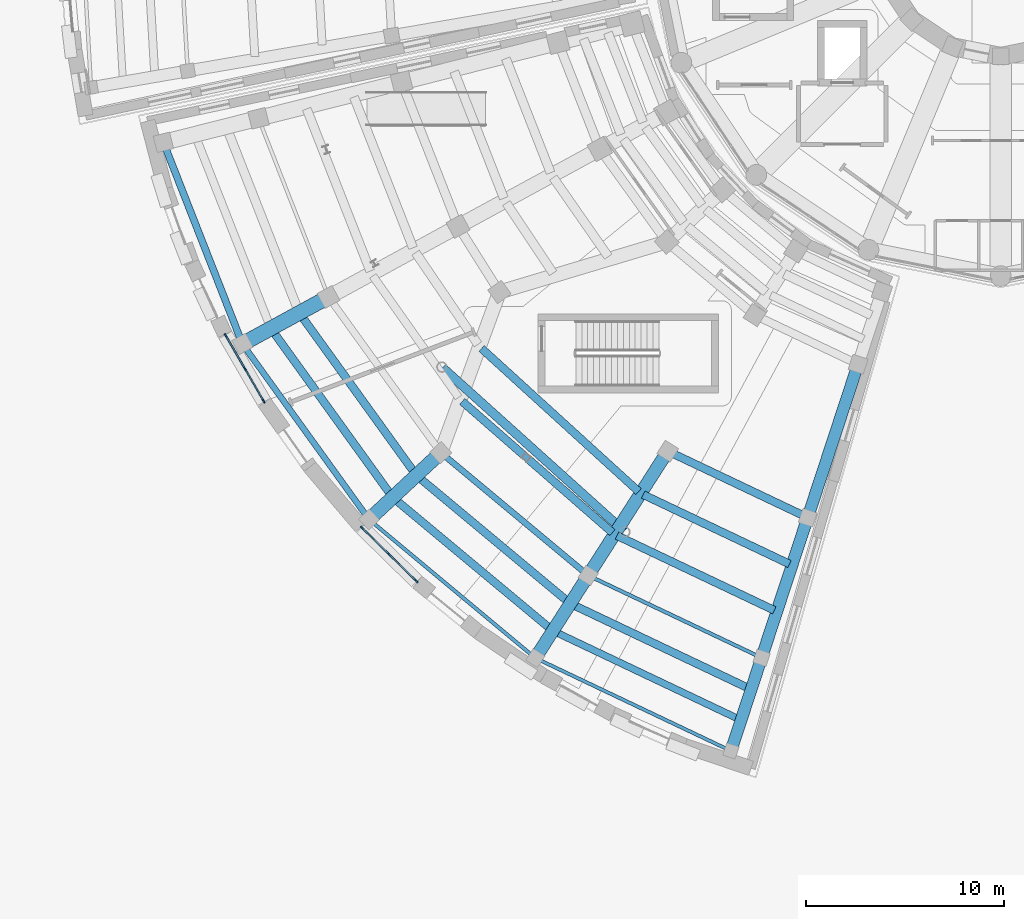
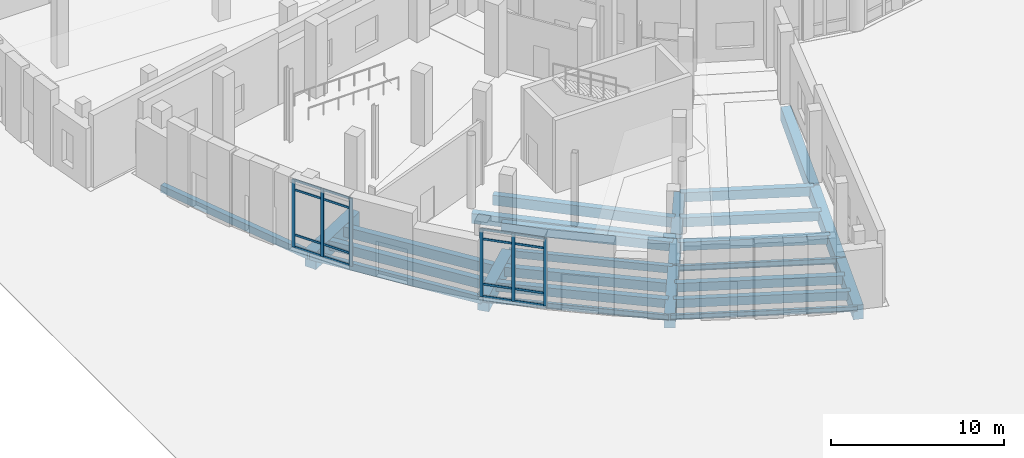
# One storey, part 10 of 74: 25 beams, 22 members, 2 elements without a shape of their own.
"""IFC4 building model written with IfcOpenShell, lengths in metres."""

from ifc_helpers import new_model, si_unit, direction, frame, origin, origin_2d, place, context, subcontext, project, spatial, rectangle, i_section, extrude, material, material_profile, profile_set, type_object, element, aggregate, save


model = new_model("IFC4")

# Units and contexts
model_context = context("Model", 3, precision=1e-05, world=origin(), true_north=direction((0.0, 1.0)))
body_context = subcontext(model_context, "Body", "Model", "MODEL_VIEW")
ifc_project = project(units=[si_unit("LENGTHUNIT", "METRE"), si_unit("AREAUNIT", "SQUARE_METRE"), si_unit("VOLUMEUNIT", "CUBIC_METRE"), si_unit("PLANEANGLEUNIT", "RADIAN"), si_unit("MASSUNIT", "GRAM", prefix="KILO")], contexts=[model_context])

# Site, building, storey
site_placement = place(None, origin())
site = spatial("IfcSite", under=ifc_project, at=site_placement, CompositionType="ELEMENT")
building_placement = place(site_placement, origin())
building = spatial("IfcBuilding", under=site, at=building_placement, Name="Soyqirgoq Riverine Aquarium", CompositionType="ELEMENT")
storey_placement = place(building_placement, origin())
storey = spatial("IfcBuildingStorey", under=building, at=storey_placement, Name="L01", CompositionType="ELEMENT", Elevation=0.0)

# Beams
ifc_material_1 = material(Name="Concrete C40/50", Category="concrete")
ifc_material_profile_1 = material_profile(ifc_material_1, rectangle(XDim=0.35009765625, YDim=0.60009765625, at=origin_2d()), Name="RC 350x600")
ifc_profile_set_1 = profile_set([ifc_material_profile_1], Name="Concrete C40/50")
beam_type_1 = type_object("IfcBeamType", Name="Beam_RC_350x600", PredefinedType="JOIST", material=ifc_profile_set_1)
beam_1_placement = place(storey_placement, frame((33.51611328125, 21.585205078125, -0.64990234375), z_axis=(0.903335942082, -0.428933766148, 0.0), x_axis=(0.428933766148, 0.903335942082, 0.0)))
element("IfcBeam", 1, at=beam_1_placement, inside=storey, type_object=beam_type_1, Name="V2 L01 Secondary Floor Joist 0231", PredefinedType="JOIST", context=body_context, shape_type="SweptSolid", body=[
    extrude(rectangle(XDim=0.35009765625, YDim=0.60009765625, at=origin_2d()), origin(), (0.0, 0.0, 1.0), 10.239501953125),
])
ifc_material_2 = material(Name="Concrete C40/50", Category="concrete")
ifc_material_profile_2 = material_profile(ifc_material_2, rectangle(XDim=0.39990234375, YDim=0.60009765625, at=origin_2d()), Name="RC 400x600")
ifc_profile_set_2 = profile_set([ifc_material_profile_2], Name="Concrete C40/50")
beam_type_2 = type_object("IfcBeamType", Name="Beam_RC_400x600", PredefinedType="JOIST", material=ifc_profile_set_2)
beam_2_placement = place(storey_placement, frame((36.627685546875, 26.4501953125, -0.64990234375), z_axis=(0.903339377868, -0.428926530297, 0.0), x_axis=(0.428926530297, 0.903339377868, 0.0)))
element("IfcBeam", 2, at=beam_2_placement, inside=storey, type_object=beam_type_2, Name="V2 L01 Secondary Floor Joist 0219", PredefinedType="JOIST", context=body_context, shape_type="SweptSolid", body=[
    extrude(rectangle(XDim=0.39990234375, YDim=0.60009765625, at=origin_2d()), origin(), (0.0, 0.0, 1.0), 8.791748046875),
])
beam_3_placement = place(storey_placement, frame((25.415283203125, 28.289306640625, -0.64990234375), z_axis=(0.768275998918, -0.640118730773, 0.0), x_axis=(0.640118730773, 0.768275998918, 0.0)))
element("IfcBeam", 3, at=beam_3_placement, inside=storey, type_object=beam_type_2, Name="V2 L01 Secondary Floor Joist 0229", PredefinedType="JOIST", context=body_context, shape_type="SweptSolid", body=[
    extrude(rectangle(XDim=0.39990234375, YDim=0.60009765625, at=origin_2d()), origin(), (0.0, 0.0, 1.0), 10.239501953125),
])
beam_4_placement = place(storey_placement, frame((34.396240234375, 22.961181640625, -0.64990234375), z_axis=(0.903341984661, -0.428921040226, 0.0), x_axis=(0.428921040226, 0.903341984661, 0.0)))
element("IfcBeam", 4, at=beam_4_placement, inside=storey, type_object=beam_type_2, Name="V2 L01 Secondary Floor Joist 0230", PredefinedType="JOIST", context=body_context, shape_type="SweptSolid", body=[
    extrude(rectangle(XDim=0.39990234375, YDim=0.60009765625, at=origin_2d()), origin(), (0.0, 0.0, 1.0), 9.830078125),
])
ifc_material_3 = material(Name="Concrete C40/50", Category="concrete")
ifc_material_profile_3 = material_profile(ifc_material_3, rectangle(XDim=0.39990234375, YDim=0.64990234375, at=origin_2d()), Name="RC 400x650")
ifc_profile_set_3 = profile_set([ifc_material_profile_3], Name="Concrete C40/50")
beam_type_3 = type_object("IfcBeamType", Name="Beam_RC_400x650", PredefinedType="BEAM", material=ifc_profile_set_3)
beam_5_placement = place(storey_placement, frame((39.235595703125, 30.694091796875, -0.675048828125), z_axis=(0.903330500913, -0.428945225081, 0.0), x_axis=(0.428945225081, 0.903330500913, 0.0)))
element("IfcBeam", 5, at=beam_5_placement, inside=storey, type_object=beam_type_3, Name="V2 L01 Wedge Chord Beam 0211", PredefinedType="BEAM", context=body_context, shape_type="SweptSolid", body=[
    extrude(rectangle(XDim=0.39990234375, YDim=0.64990234375, at=origin_2d()), origin(), (0.0, 0.0, 1.0), 7.720703125),
])
beam_6_placement = place(storey_placement, frame((28.81591796875, 33.224609375, -0.675048828125), z_axis=(0.753082847612, -0.657925698413, 0.0), x_axis=(0.657925698413, 0.753082847612, 0.0)))
element("IfcBeam", 6, at=beam_6_placement, inside=storey, type_object=beam_type_3, Name="V2 L01 Secondary Floor Joist 0217", PredefinedType="BEAM", context=body_context, shape_type="SweptSolid", body=[
    extrude(rectangle(XDim=0.39990234375, YDim=0.64990234375, at=origin_2d()), origin(), (0.0, 0.0, 1.0), 10.065185546875),
])
beam_7_placement = place(storey_placement, frame((37.9521484375, 28.521484375, -0.675048828125), z_axis=(0.903337964388, -0.428929507139, 0.0), x_axis=(0.428929507139, 0.903337964388, 0.0)))
element("IfcBeam", 7, at=beam_7_placement, inside=storey, type_object=beam_type_3, Name="V2 L01 Secondary Floor Joist 0218", PredefinedType="BEAM", context=body_context, shape_type="SweptSolid", body=[
    extrude(rectangle(XDim=0.39990234375, YDim=0.64990234375, at=origin_2d()), origin(), (0.0, 0.0, 1.0), 8.17578125),
])
beam_8_placement = place(storey_placement, frame((19.236083984375, 36.79736328125, -0.675048828125), z_axis=(0.584960276052, -0.811061943036, 0.0), x_axis=(0.811061943036, 0.584960276052, 0.0)))
element("IfcBeam", 8, at=beam_8_placement, inside=storey, type_object=beam_type_3, Name="V2 L01 Secondary Floor Joist 0227", PredefinedType="BEAM", context=body_context, shape_type="SweptSolid", body=[
    extrude(rectangle(XDim=0.39990234375, YDim=0.64990234375, at=origin_2d()), origin(), (0.0, 0.0, 1.0), 10.239501953125),
])
beam_9_placement = place(storey_placement, frame((26.60986328125, 29.4033203125, -0.675048828125), z_axis=(0.76828642004, -0.640106223046, 0.0), x_axis=(0.640106223046, 0.76828642004, 0.0)))
element("IfcBeam", 9, at=beam_9_placement, inside=storey, type_object=beam_type_3, Name="V2 L01 Secondary Floor Joist 0228", PredefinedType="BEAM", context=body_context, shape_type="SweptSolid", body=[
    extrude(rectangle(XDim=0.39990234375, YDim=0.64990234375, at=origin_2d()), origin(), (0.0, 0.0, 1.0), 9.830078125),
])
ifc_material_4 = material(Name="Concrete C40/50", Category="concrete")
ifc_material_profile_4 = material_profile(ifc_material_4, rectangle(XDim=0.39990234375, YDim=0.699951171875, at=origin_2d()), Name="RC 400x700")
ifc_profile_set_4 = profile_set([ifc_material_profile_4], Name="Concrete C40/50")
beam_type_4 = type_object("IfcBeamType", Name="Beam_RC_400x700", PredefinedType="BEAM", material=ifc_profile_set_4)
beam_10_placement = place(storey_placement, frame((29.79150390625, 35.898193359375, -0.699951171875), z_axis=(0.739349665406, -0.673321670722, 0.0), x_axis=(0.673321670722, 0.739349665406, 0.0)))
element("IfcBeam", 10, at=beam_10_placement, inside=storey, type_object=beam_type_4, Name="V2 L01 Secondary Floor Joist 0216", PredefinedType="BEAM", context=body_context, shape_type="SweptSolid", body=[
    extrude(rectangle(XDim=0.39990234375, YDim=0.699951171875, at=origin_2d()), origin(), (0.0, 0.0, 1.0), 10.7265625),
])
beam_11_placement = place(storey_placement, frame((20.670166015625, 37.579345703125, -0.699951171875), z_axis=(0.584958145066, -0.811063479957, 0.0), x_axis=(0.811063479957, 0.584958145066, 0.0)))
element("IfcBeam", 11, at=beam_11_placement, inside=storey, type_object=beam_type_4, Name="V2 L01 Secondary Floor Joist 0226", PredefinedType="BEAM", context=body_context, shape_type="SweptSolid", body=[
    extrude(rectangle(XDim=0.39990234375, YDim=0.699951171875, at=origin_2d()), origin(), (0.0, 0.0, 1.0), 9.830078125),
])
ifc_material_5 = material(Name="Concrete C40/50", Category="concrete")
ifc_material_profile_5 = material_profile(ifc_material_5, rectangle(XDim=0.449951171875, YDim=0.699951171875, at=origin_2d()), Name="RC 450x700")
ifc_profile_set_5 = profile_set([ifc_material_profile_5], Name="Concrete C40/50")
beam_type_5 = type_object("IfcBeamType", Name="Beam_RC_450x700", PredefinedType="BEAM", material=ifc_profile_set_5)
beam_12_placement = place(storey_placement, frame((27.826416015625, 34.92578125, -0.699951171875), z_axis=(0.743145497074, -0.669129860475, 0.0), x_axis=(0.669129860475, 0.743145497074, 0.0)))
element("IfcBeam", 12, at=beam_12_placement, inside=storey, type_object=beam_type_5, Name="V2 L01 Portal Frame Beam 0302", PredefinedType="BEAM", context=body_context, shape_type="SweptSolid", body=[
    extrude(rectangle(XDim=0.449951171875, YDim=0.699951171875, at=origin_2d()), origin(), (0.0, 0.0, 1.0), 12.3330078125),
])

# Curtain wall, members
ifc_material_6 = material(Name="Structural silicone glazed entrance curtain wall", Category="aluminium")
curtain_wall_type = type_object("IfcCurtainWallType", Name="CW_Portal_Entrance", PredefinedType="NOTDEFINED", material=ifc_material_6)
curtain_wall_1_placement = place(storey_placement, origin())
curtain_wall_1 = element("IfcCurtainWall", 13, at=curtain_wall_1_placement, inside=storey, type_object=curtain_wall_type, Name="V2 L01 Curtain Wall 079", PredefinedType="NOTDEFINED")
ifc_material_7 = material(Name="Anodised aluminium 6063-T6", Category="aluminium")
ifc_material_profile_6 = material_profile(ifc_material_7, rectangle(XDim=0.080078125, YDim=0.219970703125, at=origin_2d()), Name="ALU-M 80x220")
ifc_profile_set_6 = profile_set([ifc_material_profile_6], Name="Anodised aluminium 6063-T6")
member_type_1 = type_object("IfcMemberType", Name="CWMullion_80x220", PredefinedType="MULLION", material=ifc_profile_set_6)
member_1_placement = place(storey_placement, frame((26.49658203125, 24.16064453125, 0.0), z_axis=(0.0, 0.0, 1.0), x_axis=(-0.699877568292, -0.714262829357, 0.0)))
member_1 = element("IfcMember", 14, at=member_1_placement, type_object=member_type_1, Name="CW-04 mullion 1", PredefinedType="MULLION", context=body_context, shape_type="SweptSolid", body=[
    extrude(rectangle(XDim=0.080078125, YDim=0.219970703125, at=origin_2d()), origin(), (0.0, 0.0, 1.0), 4.77001953125),
])
member_2_placement = place(storey_placement, frame((25.13232421875, 25.497314453125, 0.0), z_axis=(0.0, 0.0, 1.0), x_axis=(-0.699877568292, -0.714262829357, 0.0)))
member_2 = element("IfcMember", 15, at=member_2_placement, type_object=member_type_1, Name="CW-04 mullion 2", PredefinedType="MULLION", context=body_context, shape_type="SweptSolid", body=[
    extrude(rectangle(XDim=0.080078125, YDim=0.219970703125, at=origin_2d()), origin(), (0.0, 0.0, 1.0), 4.77001953125),
])
member_3_placement = place(storey_placement, frame((23.76806640625, 26.833984375, 0.0), z_axis=(0.0, 0.0, 1.0), x_axis=(-0.699877568292, -0.714262829357, 0.0)))
member_3 = element("IfcMember", 16, at=member_3_placement, type_object=member_type_1, Name="CW-04 mullion 3", PredefinedType="MULLION", context=body_context, shape_type="SweptSolid", body=[
    extrude(rectangle(XDim=0.080078125, YDim=0.219970703125, at=origin_2d()), origin(), (0.0, 0.0, 1.0), 4.77001953125),
])

curtain_wall_2_placement = place(storey_placement, origin())
curtain_wall_2 = element("IfcCurtainWall", 17, at=curtain_wall_2_placement, inside=storey, type_object=curtain_wall_type, Name="V2 L01 Curtain Wall 080", PredefinedType="NOTDEFINED")
member_4_placement = place(storey_placement, frame((18.793701171875, 33.239501953125, 0.0), z_axis=(0.0, 0.0, 1.0), x_axis=(-0.865294590752, -0.501263674342, 0.0)))
member_4 = element("IfcMember", 18, at=member_4_placement, type_object=member_type_1, Name="CW-04 mullion 1", PredefinedType="MULLION", context=body_context, shape_type="SweptSolid", body=[
    extrude(rectangle(XDim=0.080078125, YDim=0.219970703125, at=origin_2d()), origin(), (0.0, 0.0, 1.0), 4.77001953125),
])
member_5_placement = place(storey_placement, frame((17.836181640625, 34.89208984375, 0.0), z_axis=(0.0, 0.0, 1.0), x_axis=(-0.865294590752, -0.501263674342, 0.0)))
member_5 = element("IfcMember", 19, at=member_5_placement, type_object=member_type_1, Name="CW-04 mullion 2", PredefinedType="MULLION", context=body_context, shape_type="SweptSolid", body=[
    extrude(rectangle(XDim=0.080078125, YDim=0.219970703125, at=origin_2d()), origin(), (0.0, 0.0, 1.0), 4.77001953125),
])
member_6_placement = place(storey_placement, frame((16.87890625, 36.544677734375, 0.0), z_axis=(0.0, 0.0, 1.0), x_axis=(-0.865294590752, -0.501263674342, 0.0)))
member_6 = element("IfcMember", 20, at=member_6_placement, type_object=member_type_1, Name="CW-04 mullion 3", PredefinedType="MULLION", context=body_context, shape_type="SweptSolid", body=[
    extrude(rectangle(XDim=0.080078125, YDim=0.219970703125, at=origin_2d()), origin(), (0.0, 0.0, 1.0), 4.77001953125),
])

# Member
ifc_material_8 = material(Name="Anodised aluminium 6063-T6", Category="aluminium")
ifc_material_profile_7 = material_profile(ifc_material_8, rectangle(XDim=0.074951171875, YDim=0.14990234375, at=origin_2d()), Name="ALU-T 75x150")
ifc_profile_set_7 = profile_set([ifc_material_profile_7], Name="Anodised aluminium 6063-T6")
member_type_2 = type_object("IfcMemberType", Name="CWTransom_75x150", PredefinedType="USERDEFINED", material=ifc_profile_set_7)
member_7_placement = place(storey_placement, frame((26.468017578125, 24.1884765625, 0.03759765625), z_axis=(-0.714274192224, 0.699865971686, 0.0), x_axis=(-0.699865971686, -0.714274192224, 0.0)))
member_7 = element("IfcMember", 21, at=member_7_placement, type_object=member_type_2, Name="CW-04 transom 1.1", ObjectType="TRANSOM", PredefinedType="USERDEFINED", context=body_context, shape_type="SweptSolid", body=[
    extrude(rectangle(XDim=0.074951171875, YDim=0.14990234375, at=origin_2d()), origin(), (0.0, 0.0, 1.0), 1.830078125),
])

member_8_placement = place(storey_placement, frame((26.468017578125, 24.1884765625, 0.89990234375), z_axis=(-0.714274192224, 0.699865971686, 0.0), x_axis=(-0.699865971686, -0.714274192224, 0.0)))
member_8 = element("IfcMember", 22, at=member_8_placement, type_object=member_type_2, Name="CW-04 transom 1.2", ObjectType="TRANSOM", PredefinedType="USERDEFINED", context=body_context, shape_type="SweptSolid", body=[
    extrude(rectangle(XDim=0.074951171875, YDim=0.14990234375, at=origin_2d()), origin(), (0.0, 0.0, 1.0), 1.830078125),
])

member_9_placement = place(storey_placement, frame((26.468017578125, 24.1884765625, 4.070068359375), z_axis=(-0.714274192224, 0.699865971686, 0.0), x_axis=(-0.699865971686, -0.714274192224, 0.0)))
member_9 = element("IfcMember", 23, at=member_9_placement, type_object=member_type_2, Name="CW-04 transom 1.3", ObjectType="TRANSOM", PredefinedType="USERDEFINED", context=body_context, shape_type="SweptSolid", body=[
    extrude(rectangle(XDim=0.074951171875, YDim=0.14990234375, at=origin_2d()), origin(), (0.0, 0.0, 1.0), 1.830078125),
])

member_10_placement = place(storey_placement, frame((26.468017578125, 24.1884765625, 4.732421875), z_axis=(-0.714274192224, 0.699865971686, 0.0), x_axis=(-0.699865971686, -0.714274192224, 0.0)))
member_10 = element("IfcMember", 24, at=member_10_placement, type_object=member_type_2, Name="CW-04 transom 1.4", ObjectType="TRANSOM", PredefinedType="USERDEFINED", context=body_context, shape_type="SweptSolid", body=[
    extrude(rectangle(XDim=0.074951171875, YDim=0.14990234375, at=origin_2d()), origin(), (0.0, 0.0, 1.0), 1.830078125),
])

member_11_placement = place(storey_placement, frame((25.103759765625, 25.525390625, 0.03759765625), z_axis=(-0.714340886084, 0.699797898302, 0.0), x_axis=(-0.699797898302, -0.714340886084, 0.0)))
member_11 = element("IfcMember", 25, at=member_11_placement, type_object=member_type_2, Name="CW-04 transom 2.1", ObjectType="TRANSOM", PredefinedType="USERDEFINED", context=body_context, shape_type="SweptSolid", body=[
    extrude(rectangle(XDim=0.074951171875, YDim=0.14990234375, at=origin_2d()), origin(), (0.0, 0.0, 1.0), 1.829833984375),
])

member_12_placement = place(storey_placement, frame((25.103759765625, 25.525390625, 0.89990234375), z_axis=(-0.714340886084, 0.699797898302, 0.0), x_axis=(-0.699797898302, -0.714340886084, 0.0)))
member_12 = element("IfcMember", 26, at=member_12_placement, type_object=member_type_2, Name="CW-04 transom 2.2", ObjectType="TRANSOM", PredefinedType="USERDEFINED", context=body_context, shape_type="SweptSolid", body=[
    extrude(rectangle(XDim=0.074951171875, YDim=0.14990234375, at=origin_2d()), origin(), (0.0, 0.0, 1.0), 1.829833984375),
])

member_13_placement = place(storey_placement, frame((25.103759765625, 25.525390625, 4.070068359375), z_axis=(-0.714340886084, 0.699797898302, 0.0), x_axis=(-0.699797898302, -0.714340886084, 0.0)))
member_13 = element("IfcMember", 27, at=member_13_placement, type_object=member_type_2, Name="CW-04 transom 2.3", ObjectType="TRANSOM", PredefinedType="USERDEFINED", context=body_context, shape_type="SweptSolid", body=[
    extrude(rectangle(XDim=0.074951171875, YDim=0.14990234375, at=origin_2d()), origin(), (0.0, 0.0, 1.0), 1.829833984375),
])

member_14_placement = place(storey_placement, frame((25.103759765625, 25.525390625, 4.732421875), z_axis=(-0.714340886084, 0.699797898302, 0.0), x_axis=(-0.699797898302, -0.714340886084, 0.0)))
member_14 = element("IfcMember", 28, at=member_14_placement, type_object=member_type_2, Name="CW-04 transom 2.4", ObjectType="TRANSOM", PredefinedType="USERDEFINED", context=body_context, shape_type="SweptSolid", body=[
    extrude(rectangle(XDim=0.074951171875, YDim=0.14990234375, at=origin_2d()), origin(), (0.0, 0.0, 1.0), 1.829833984375),
])

aggregate(curtain_wall_1, [member_1, member_2, member_3, member_7, member_8, member_9, member_10, member_11, member_12, member_13, member_14])

member_15_placement = place(storey_placement, frame((18.773681640625, 33.27392578125, 0.03759765625), z_axis=(-0.501330725828, 0.865255744471, 0.0), x_axis=(-0.865255744471, -0.501330725828, 0.0)))
member_15 = element("IfcMember", 29, at=member_15_placement, type_object=member_type_2, Name="CW-04 transom 1.1", ObjectType="TRANSOM", PredefinedType="USERDEFINED", context=body_context, shape_type="SweptSolid", body=[
    extrude(rectangle(XDim=0.074951171875, YDim=0.14990234375, at=origin_2d()), origin(), (0.0, 0.0, 1.0), 1.830078125),
])

member_16_placement = place(storey_placement, frame((18.773681640625, 33.27392578125, 0.89990234375), z_axis=(-0.501330725828, 0.865255744471, 0.0), x_axis=(-0.865255744471, -0.501330725828, 0.0)))
member_16 = element("IfcMember", 30, at=member_16_placement, type_object=member_type_2, Name="CW-04 transom 1.2", ObjectType="TRANSOM", PredefinedType="USERDEFINED", context=body_context, shape_type="SweptSolid", body=[
    extrude(rectangle(XDim=0.074951171875, YDim=0.14990234375, at=origin_2d()), origin(), (0.0, 0.0, 1.0), 1.830078125),
])

member_17_placement = place(storey_placement, frame((18.773681640625, 33.27392578125, 4.070068359375), z_axis=(-0.501330725828, 0.865255744471, 0.0), x_axis=(-0.865255744471, -0.501330725828, 0.0)))
member_17 = element("IfcMember", 31, at=member_17_placement, type_object=member_type_2, Name="CW-04 transom 1.3", ObjectType="TRANSOM", PredefinedType="USERDEFINED", context=body_context, shape_type="SweptSolid", body=[
    extrude(rectangle(XDim=0.074951171875, YDim=0.14990234375, at=origin_2d()), origin(), (0.0, 0.0, 1.0), 1.830078125),
])

member_18_placement = place(storey_placement, frame((18.773681640625, 33.27392578125, 4.732421875), z_axis=(-0.501330725828, 0.865255744471, 0.0), x_axis=(-0.865255744471, -0.501330725828, 0.0)))
member_18 = element("IfcMember", 32, at=member_18_placement, type_object=member_type_2, Name="CW-04 transom 1.4", ObjectType="TRANSOM", PredefinedType="USERDEFINED", context=body_context, shape_type="SweptSolid", body=[
    extrude(rectangle(XDim=0.074951171875, YDim=0.14990234375, at=origin_2d()), origin(), (0.0, 0.0, 1.0), 1.830078125),
])

member_19_placement = place(storey_placement, frame((17.816162109375, 34.9267578125, 0.03759765625), z_axis=(-0.501230840869, 0.865313610295, 0.0), x_axis=(-0.865313610295, -0.501230840869, 0.0)))
member_19 = element("IfcMember", 33, at=member_19_placement, type_object=member_type_2, Name="CW-04 transom 2.1", ObjectType="TRANSOM", PredefinedType="USERDEFINED", context=body_context, shape_type="SweptSolid", body=[
    extrude(rectangle(XDim=0.074951171875, YDim=0.14990234375, at=origin_2d()), origin(), (0.0, 0.0, 1.0), 1.830078125),
])

member_20_placement = place(storey_placement, frame((17.816162109375, 34.9267578125, 0.89990234375), z_axis=(-0.501230840869, 0.865313610295, 0.0), x_axis=(-0.865313610295, -0.501230840869, 0.0)))
member_20 = element("IfcMember", 34, at=member_20_placement, type_object=member_type_2, Name="CW-04 transom 2.2", ObjectType="TRANSOM", PredefinedType="USERDEFINED", context=body_context, shape_type="SweptSolid", body=[
    extrude(rectangle(XDim=0.074951171875, YDim=0.14990234375, at=origin_2d()), origin(), (0.0, 0.0, 1.0), 1.830078125),
])

member_21_placement = place(storey_placement, frame((17.816162109375, 34.9267578125, 4.070068359375), z_axis=(-0.501230840869, 0.865313610295, 0.0), x_axis=(-0.865313610295, -0.501230840869, 0.0)))
member_21 = element("IfcMember", 35, at=member_21_placement, type_object=member_type_2, Name="CW-04 transom 2.3", ObjectType="TRANSOM", PredefinedType="USERDEFINED", context=body_context, shape_type="SweptSolid", body=[
    extrude(rectangle(XDim=0.074951171875, YDim=0.14990234375, at=origin_2d()), origin(), (0.0, 0.0, 1.0), 1.830078125),
])

member_22_placement = place(storey_placement, frame((17.816162109375, 34.9267578125, 4.732421875), z_axis=(-0.501230840869, 0.865313610295, 0.0), x_axis=(-0.865313610295, -0.501230840869, 0.0)))
member_22 = element("IfcMember", 36, at=member_22_placement, type_object=member_type_2, Name="CW-04 transom 2.4", ObjectType="TRANSOM", PredefinedType="USERDEFINED", context=body_context, shape_type="SweptSolid", body=[
    extrude(rectangle(XDim=0.074951171875, YDim=0.14990234375, at=origin_2d()), origin(), (0.0, 0.0, 1.0), 1.830078125),
])

aggregate(curtain_wall_2, [member_4, member_5, member_6, member_15, member_16, member_17, member_18, member_19, member_20, member_21, member_22])

# Beams
ifc_material_9 = material(Name="Concrete C40/50", Category="concrete")
ifc_material_profile_8 = material_profile(ifc_material_9, rectangle(XDim=0.60009765625, YDim=1.0, at=origin_2d()), Name="RC 600x1000")
ifc_profile_set_8 = profile_set([ifc_material_profile_8], Name="Concrete C40/50")
beam_type_6 = type_object("IfcBeamType", Name="Girder_RC_600x1000", PredefinedType="BEAM", material=ifc_profile_set_8)
beam_13_placement = place(storey_placement, frame((48.78515625, 35.0556640625, -0.85009765625), z_axis=(-0.312349194432, -0.949967357722, 0.0), x_axis=(0.949967357722, -0.312349194432, 0.0)))
element("IfcBeam", 37, at=beam_13_placement, inside=storey, type_object=beam_type_6, Name="V2 L01 Wedge Radial Girder 0186", PredefinedType="BEAM", context=body_context, shape_type="SweptSolid", body=[
    extrude(rectangle(XDim=0.60009765625, YDim=1.0, at=origin_2d()), origin(), (0.0, 0.0, 1.0), 8.050048828125),
])
beam_14_placement = place(storey_placement, frame((46.239501953125, 27.3134765625, -0.85009765625), z_axis=(-0.312328876865, -0.949974037896, 0.0), x_axis=(0.949974037896, -0.312328876865, 0.0)))
element("IfcBeam", 38, at=beam_14_placement, inside=storey, type_object=beam_type_6, Name="V2 L01 Wedge Radial Girder 0187", PredefinedType="BEAM", context=body_context, shape_type="SweptSolid", body=[
    extrude(rectangle(XDim=0.60009765625, YDim=1.0, at=origin_2d()), origin(), (0.0, 0.0, 1.0), 7.35009765625),
])
beam_15_placement = place(storey_placement, frame((43.91259765625, 20.236083984375, -0.85009765625), z_axis=(-0.312344099668, -0.949969032865, 0.0), x_axis=(0.949969032865, -0.312344099668, 0.0)))
element("IfcBeam", 39, at=beam_15_placement, inside=storey, type_object=beam_type_6, Name="V2 L01 Wedge Radial Girder 0188", PredefinedType="BEAM", context=body_context, shape_type="SweptSolid", body=[
    extrude(rectangle(XDim=0.60009765625, YDim=1.0, at=origin_2d()), origin(), (0.0, 0.0, 1.0), 4.85009765625),
])
ifc_material_10 = material(Name="Concrete C40/50", Category="concrete")
ifc_material_profile_9 = material_profile(ifc_material_10, rectangle(XDim=0.64990234375, YDim=1.0, at=origin_2d()), Name="RC 650x1000")
ifc_profile_set_9 = profile_set([ifc_material_profile_9], Name="Concrete C40/50")
beam_type_7 = type_object("IfcBeamType", Name="Girder_RC_650x1000", PredefinedType="BEAM", material=ifc_profile_set_9)
beam_16_placement = place(storey_placement, frame((39.16357421875, 30.67333984375, -0.85009765625), z_axis=(-0.538786928276, -0.842442072738, 0.0), x_axis=(0.842442072738, -0.538786928276, 0.0)))
element("IfcBeam", 40, at=beam_16_placement, inside=storey, type_object=beam_type_7, Name="V2 L01 Wedge Radial Girder 0183", PredefinedType="BEAM", context=body_context, shape_type="SweptSolid", body=[
    extrude(rectangle(XDim=0.64990234375, YDim=1.0, at=origin_2d()), origin(), (0.0, 0.0, 1.0), 7.350341796875),
])
beam_17_placement = place(storey_placement, frame((35.149658203125, 24.397216796875, -0.85009765625), z_axis=(-0.538766550518, -0.842455105061, 0.0), x_axis=(0.842455105061, -0.538766550518, 0.0)))
element("IfcBeam", 41, at=beam_17_placement, inside=storey, type_object=beam_type_7, Name="V2 L01 Wedge Radial Girder 0184", PredefinedType="BEAM", context=body_context, shape_type="SweptSolid", body=[
    extrude(rectangle(XDim=0.64990234375, YDim=1.0, at=origin_2d()), origin(), (0.0, 0.0, 1.0), 4.85009765625),
])
ifc_material_11 = material(Name="Concrete C40/50", Category="concrete")
ifc_material_profile_10 = material_profile(ifc_material_11, rectangle(XDim=0.699951171875, YDim=1.10009765625, at=origin_2d()), Name="RC 700x1100")
ifc_profile_set_10 = profile_set([ifc_material_profile_10], Name="Concrete C40/50")
beam_type_8 = type_object("IfcBeamType", Name="Girder_RC_700x1100", PredefinedType="BEAM", material=ifc_profile_set_10)
beam_18_placement = place(storey_placement, frame((27.696533203125, 30.606689453125, -0.89990234375), z_axis=(-0.731343135026, -0.682009691171, 0.0), x_axis=(0.682009691171, -0.731343135026, 0.0)))
element("IfcBeam", 42, at=beam_18_placement, inside=storey, type_object=beam_type_8, Name="V2 L01 Wedge Radial Girder 0181", PredefinedType="BEAM", context=body_context, shape_type="SweptSolid", body=[
    extrude(rectangle(XDim=0.699951171875, YDim=1.10009765625, at=origin_2d()), origin(), (0.0, 0.0, 1.0), 4.849853515625),
])
ifc_material_12 = material(Name="Concrete C40/50", Category="concrete")
ifc_material_profile_11 = material_profile(ifc_material_12, rectangle(XDim=0.75, YDim=1.199951171875, at=origin_2d()), Name="RC 750x1200")
ifc_profile_set_11 = profile_set([ifc_material_profile_11], Name="Concrete C40/50")
beam_type_9 = type_object("IfcBeamType", Name="Girder_RC_750x1200", PredefinedType="BEAM", material=ifc_profile_set_11)
beam_19_placement = place(storey_placement, frame((22.022216796875, 38.474609375, -0.949951171875), z_axis=(-0.877976355965, -0.478703998694, 0.0), x_axis=(0.478703998694, -0.877976355965, 0.0)))
element("IfcBeam", 43, at=beam_19_placement, inside=storey, type_object=beam_type_9, Name="V2 L01 Wedge Radial Girder 0177", PredefinedType="BEAM", context=body_context, shape_type="SweptSolid", body=[
    extrude(rectangle(XDim=0.75, YDim=1.199951171875, at=origin_2d()), origin(), (0.0, 0.0, 1.0), 4.85009765625),
])
ifc_material_13 = material(Name="Concrete C40/50", Category="concrete")
ifc_material_profile_12 = material_profile(ifc_material_13, rectangle(XDim=0.300048828125, YDim=0.5, at=origin_2d()), Name="RC 300x500")
ifc_profile_set_12 = profile_set([ifc_material_profile_12], Name="Concrete C40/50")
beam_type_10 = type_object("IfcBeamType", Name="Spandrel_RC_300x500", PredefinedType="SPANDREL", material=ifc_profile_set_12)
beam_20_placement = place(storey_placement, frame((27.771484375, 30.60888671875, -0.60009765625), z_axis=(0.768283886869, -0.640109263468, 0.0), x_axis=(0.640109263468, 0.768283886869, 0.0)))
element("IfcBeam", 44, at=beam_20_placement, inside=storey, type_object=beam_type_10, Name="V2 L01 Wedge Chord Beam 0222", PredefinedType="SPANDREL", context=body_context, shape_type="SweptSolid", body=[
    extrude(rectangle(XDim=0.300048828125, YDim=0.5, at=origin_2d()), origin(), (0.0, 0.0, 1.0), 9.588623046875),
])
beam_21_placement = place(storey_placement, frame((17.7490234375, 36.08837890625, -0.60009765625), z_axis=(0.584972679004, -0.81105299754, 0.0), x_axis=(0.81105299754, 0.584972679004, 0.0)))
element("IfcBeam", 45, at=beam_21_placement, inside=storey, type_object=beam_type_10, Name="V2 L01 Wedge Chord Beam 0233", PredefinedType="SPANDREL", context=body_context, shape_type="SweptSolid", body=[
    extrude(rectangle(XDim=0.300048828125, YDim=0.5, at=origin_2d()), origin(), (0.0, 0.0, 1.0), 10.8291015625),
])
ifc_material_14 = material(Name="Concrete C40/50", Category="concrete")
ifc_material_profile_13 = material_profile(ifc_material_14, rectangle(XDim=0.35009765625, YDim=0.5, at=origin_2d()), Name="RC 350x500")
ifc_profile_set_13 = profile_set([ifc_material_profile_13], Name="Concrete C40/50")
beam_type_11 = type_object("IfcBeamType", Name="Spandrel_RC_350x500", PredefinedType="SPANDREL", material=ifc_profile_set_13)
beam_22_placement = place(storey_placement, frame((13.75048828125, 46.258056640625, -0.60009765625), z_axis=(0.364866832359, -0.931059715939, 0.0), x_axis=(0.931059715939, 0.364866832359, 0.0)))
element("IfcBeam", 46, at=beam_22_placement, inside=storey, type_object=beam_type_11, Name="V2 L01 Wedge Chord Beam 0232", PredefinedType="SPANDREL", context=body_context, shape_type="SweptSolid", body=[
    extrude(rectangle(XDim=0.35009765625, YDim=0.5, at=origin_2d()), origin(), (0.0, 0.0, 1.0), 10.8291015625),
])
ifc_material_15 = material(Name="Structural steel S355", Category="steel")
ifc_material_profile_14 = material_profile(ifc_material_15, i_section(OverallWidth=0.169921875, OverallDepth=0.360107421875, WebThickness=0.008056640625, FlangeThickness=0.0126953125, FilletRadius=0.01806640625, at=origin_2d()), Name="IPE 360")
ifc_profile_set_14 = profile_set([ifc_material_profile_14], Name="Structural steel S355")
beam_type_12 = type_object("IfcBeamType", Name="Spandrel_Steel_IPE360", PredefinedType="SPANDREL", material=ifc_profile_set_14)
beam_23_placement = place(storey_placement, frame((32.5546875, 20.247802734375, -0.530029296875), z_axis=(0.903323807268, -0.428959321176, 0.0), x_axis=(0.428959321176, 0.903323807268, 0.0)))
element("IfcBeam", 47, at=beam_23_placement, inside=storey, type_object=beam_type_12, Name="V2 L01 Wedge Chord Beam 0235", PredefinedType="SPANDREL", context=body_context, shape_type="SweptSolid", body=[
    extrude(i_section(OverallWidth=0.169921875, OverallDepth=0.360107421875, WebThickness=0.008056640625, FlangeThickness=0.0126953125, FilletRadius=0.01806640625, at=origin_2d()), origin(), (0.0, 0.0, 1.0), 10.8291015625),
])
ifc_material_16 = material(Name="Structural steel S355", Category="steel")
ifc_material_profile_15 = material_profile(ifc_material_16, i_section(OverallWidth=0.179931640625, OverallDepth=0.39990234375, WebThickness=0.008544921875, FlangeThickness=0.013427734375, FilletRadius=0.02099609375, at=origin_2d()), Name="IPE 400")
ifc_profile_set_15 = profile_set([ifc_material_profile_15], Name="Structural steel S355")
beam_type_13 = type_object("IfcBeamType", Name="Spandrel_Steel_IPE400", PredefinedType="SPANDREL", material=ifc_profile_set_15)
beam_24_placement = place(storey_placement, frame((35.2216796875, 24.417724609375, -0.550048828125), z_axis=(0.903332511993, -0.428940989854, 0.0), x_axis=(0.428940989854, 0.903332511993, 0.0)))
element("IfcBeam", 48, at=beam_24_placement, inside=storey, type_object=beam_type_13, Name="V2 L01 Wedge Chord Beam 0223", PredefinedType="SPANDREL", context=body_context, shape_type="SweptSolid", body=[
    extrude(i_section(OverallWidth=0.179931640625, OverallDepth=0.39990234375, WebThickness=0.008544921875, FlangeThickness=0.013427734375, FilletRadius=0.02099609375, at=origin_2d()), origin(), (0.0, 0.0, 1.0), 9.588134765625),
])
beam_25_placement = place(storey_placement, frame((24.1513671875, 27.23291015625, -0.550048828125), z_axis=(0.768280410123, -0.64011343637, 0.0), x_axis=(0.64011343637, 0.768280410123, 0.0)))
element("IfcBeam", 49, at=beam_25_placement, inside=storey, type_object=beam_type_13, Name="V2 L01 Wedge Chord Beam 0234", PredefinedType="SPANDREL", context=body_context, shape_type="SweptSolid", body=[
    extrude(i_section(OverallWidth=0.179931640625, OverallDepth=0.39990234375, WebThickness=0.008544921875, FlangeThickness=0.013427734375, FilletRadius=0.02099609375, at=origin_2d()), origin(), (0.0, 0.0, 1.0), 10.8291015625),
])

save(model, "model.ifc")
